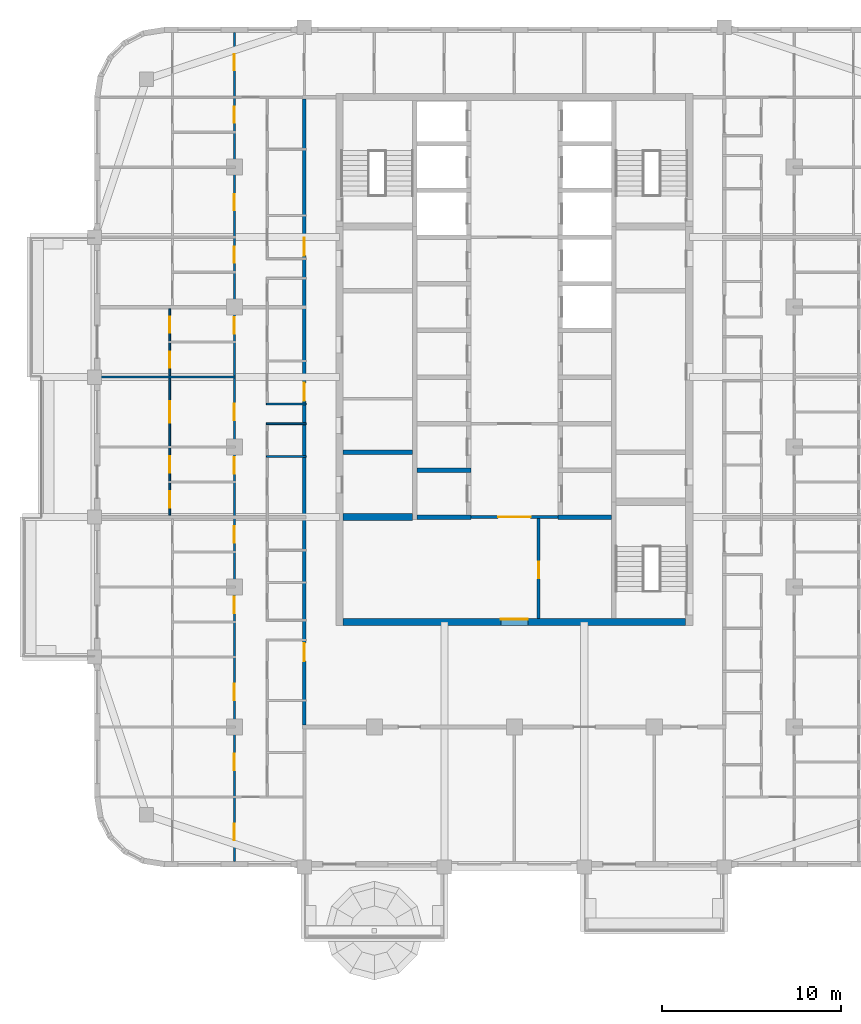
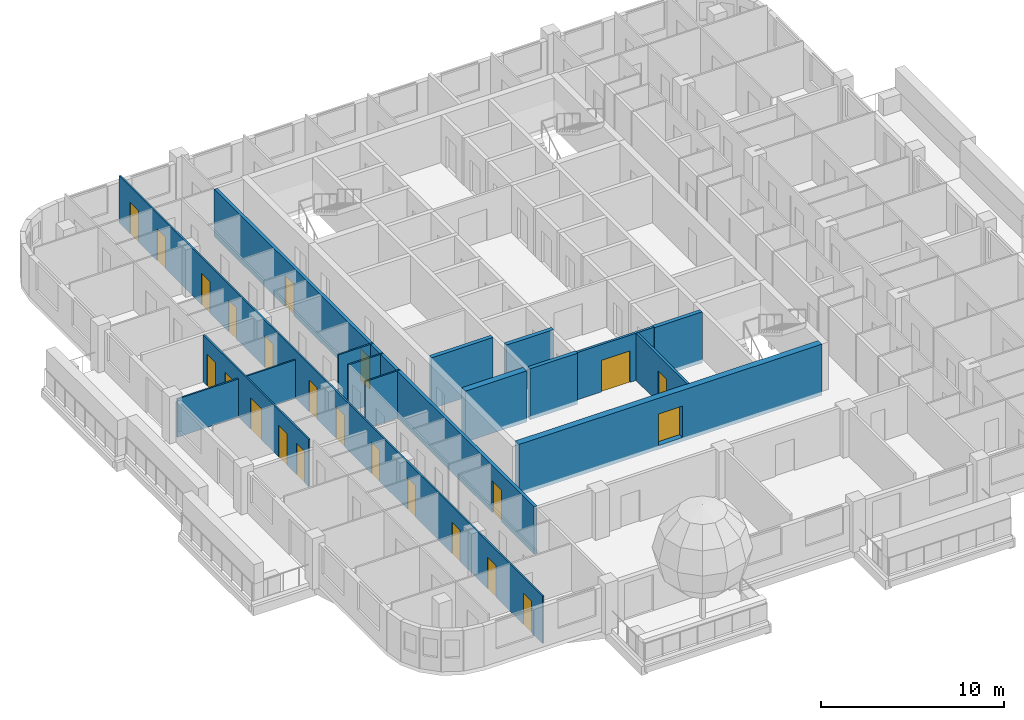
# One storey, part 4 of 17: 23 doors, 15 walls, 23 openings.
"""IFC4 building model written with IfcOpenShell, lengths in metres."""

import ifcopenshell
import ifcopenshell.guid

model = None  # the IFC model being written
_history = None  # IfcOwnerHistory: only IFC2X3 demands one
_inside = {}  # id of a spatial element -> (the spatial element, [elements in it])
_under = {}  # id of a project, library or spatial element -> (it, [spatial elements below it])
_declared = {}  # id of a project -> (the project, [libraries it declares])
_typed = {}  # id of a type object -> (the type object, [elements of that type])
_made_of = {}  # id of a material, layer set ... -> (it, [elements and type objects made of it])


def new_model(schema):
    """Start an empty IFC model of exactly this schema.

    Asked for "IFC4X3", IfcOpenShell would pick the latest addendum, in which some entities
    have other attributes; the version numbers below select the first issue.
    IFC2X3 requires an IfcOwnerHistory on every rooted entity: one is made here for all.
    """
    global model, _history
    if schema == "IFC4X3":
        model = ifcopenshell.file(schema_version=(4, 3, 0, 0))
    else:
        model = ifcopenshell.file(schema=schema)
    _inside.clear()
    _under.clear()
    _declared.clear()
    _typed.clear()
    _made_of.clear()
    _history = None
    if model.schema == "IFC2X3":
        org = make("IfcOrganization", Name="unknown")
        user = make(
            "IfcPersonAndOrganization",
            ThePerson=make("IfcPerson", FamilyName="unknown"),
            TheOrganization=org,
        )
        app = make(
            "IfcApplication",
            ApplicationDeveloper=org,
            Version="unknown",
            ApplicationFullName="unknown",
            ApplicationIdentifier="unknown",
        )
        _history = make(
            "IfcOwnerHistory",
            OwningUser=user,
            OwningApplication=app,
            ChangeAction="ADDED",
            CreationDate=0,
        )
    return model


def make(cls, **values):
    """One entity of the class cls with the attributes given. An attribute that is None is left unset."""
    return model.create_entity(
        cls, **{name: value for name, value in values.items() if value is not None}
    )


def rooted(cls, **values):
    """An entity with a GlobalId (a new one), such as an element, a storey or a relation."""
    return make(cls, GlobalId=ifcopenshell.guid.new(), OwnerHistory=_history, **values)


def si_unit(unit_type, name, prefix=None):
    """IfcSIUnit, for example si_unit("LENGTHUNIT", "METRE", prefix="MILLI")."""
    return make("IfcSIUnit", UnitType=unit_type, Prefix=prefix, Name=name)


def assignment(units):
    """IfcUnitAssignment: the units of a project."""
    return None if units is None else make("IfcUnitAssignment", Units=units)


def point(xyz):
    """IfcCartesianPoint."""
    return None if xyz is None else make("IfcCartesianPoint", Coordinates=xyz)


def direction(xyz):
    """IfcDirection."""
    return None if xyz is None else make("IfcDirection", DirectionRatios=xyz)


def frame(location, z_axis=None, x_axis=None):
    """IfcAxis2Placement3D, a coordinate frame: its origin and axes. An axis left out is left unset."""
    return make(
        "IfcAxis2Placement3D",
        Location=point(location),
        Axis=direction(z_axis),
        RefDirection=direction(x_axis),
    )


def frame_2d(location, x_axis=None):
    """IfcAxis2Placement2D, a coordinate frame in the plane: its origin and x axis."""
    return make(
        "IfcAxis2Placement2D", Location=point(location), RefDirection=direction(x_axis)
    )


def origin():
    """The frame at (0, 0, 0) with its axes left unset."""
    return frame((0.0, 0.0, 0.0))


def place(relative_to, where):
    """IfcLocalPlacement: puts the frame where relative to a parent placement (None: the world)."""
    return make(
        "IfcLocalPlacement", PlacementRelTo=relative_to, RelativePlacement=where
    )


def context(
    kind, dimensions, precision=None, world=None, true_north=None, identifier=None
):
    """IfcGeometricRepresentationContext, for example the 3D "Model" context."""
    return make(
        "IfcGeometricRepresentationContext",
        ContextIdentifier=identifier,
        ContextType=kind,
        CoordinateSpaceDimension=dimensions,
        Precision=precision,
        WorldCoordinateSystem=world,
        TrueNorth=true_north,
    )


def subcontext(parent, identifier, kind, view, scale=None):
    """IfcGeometricRepresentationSubContext, for example "Body" below "Model"."""
    return make(
        "IfcGeometricRepresentationSubContext",
        ContextIdentifier=identifier,
        ContextType=kind,
        ParentContext=parent,
        TargetScale=scale,
        TargetView=view,
    )


def project(units=None, contexts=None):
    """IfcProject with its units and contexts."""
    return rooted(
        "IfcProject",
        Name="project",
        RepresentationContexts=contexts,
        UnitsInContext=assignment(units),
    )


def spatial(cls, under=None, at=None, **own):
    """A site, building, storey or space (cls), placed at a placement, below another one or the project."""
    s = rooted(cls, ObjectPlacement=at, **own)
    if under is not None:
        _under.setdefault(under.id(), (under, []))[1].append(s)
    return s


def profile(cls, at=None, kind="AREA", **sizes):
    """A parametric profile (cls). Its sizes go by their IFC names, for example OverallWidth=200.0."""
    return make(cls, ProfileType=kind, Position=at, **sizes)


def rectangle(**sizes):
    """IfcRectangleProfileDef."""
    return profile("IfcRectangleProfileDef", **sizes)


def extrude(swept, where, along, depth):
    """IfcExtrudedAreaSolid: the profile swept, set in the frame where, extruded along a direction by depth."""
    return make(
        "IfcExtrudedAreaSolid",
        SweptArea=swept,
        Position=where,
        ExtrudedDirection=direction(along),
        Depth=depth,
    )


def shape(context_of_items, identifier, shape_type, items):
    """IfcShapeRepresentation: the items that make up one representation, for example the "Body"."""
    return make(
        "IfcShapeRepresentation",
        ContextOfItems=context_of_items,
        RepresentationIdentifier=identifier,
        RepresentationType=shape_type,
        Items=items,
    )


def material(Name=None, Category=None):
    """IfcMaterial."""
    return make("IfcMaterial", Name=Name, Category=Category)


def layer(
    of_material, thickness, ventilated=None, Name=None, Category=None, Priority=None
):
    """IfcMaterialLayer: one layer of a wall or slab, of a material (None: an air gap)."""
    return make(
        "IfcMaterialLayer",
        Material=of_material,
        LayerThickness=thickness,
        IsVentilated=ventilated,
        Name=Name,
        Category=Category,
        Priority=Priority,
    )


def layer_set(layers, Name=None):
    """IfcMaterialLayerSet."""
    return make("IfcMaterialLayerSet", MaterialLayers=layers, LayerSetName=Name)


def made_of(thing, what):
    """Note that an element or type object is made of a material, layer set ...; save() writes the relation."""
    if what is not None:
        _made_of.setdefault(what.id(), (what, []))[1].append(thing)
    return thing


def type_object(cls, material=None, **own):
    """A type object (cls), such as IfcWallType, which elements share."""
    return made_of(rooted(cls, **own), material)


def element(
    cls,
    number,
    at=None,
    inside=None,
    cuts=None,
    type_object=None,
    material=None,
    context=None,
    identifier="Body",
    shape_type=None,
    held_by="IfcProductDefinitionShape",
    body=None,
    shapes=None,
    **own,
):
    """One element of the class cls, such as IfcWall. Its Tag is "e" and its number.

    at: its placement. inside: the storey or other place that contains it. cuts: it is an
    opening in that element (IfcRelVoidsElement). A single representation is given by context,
    identifier, shape_type and body (its items); several are given by shapes. held_by: the class
    of the entity that holds the representations. save() writes the other relations.
    """
    e = rooted(cls, Tag="e%d" % number, ObjectPlacement=at, **own)
    if body is not None:
        shapes = [shape(context, identifier, shape_type, body)]
    if shapes is not None:
        e.Representation = make(held_by, Representations=shapes)
    if inside is not None:
        _inside.setdefault(inside.id(), (inside, []))[1].append(e)
    if cuts is not None:
        rooted(
            "IfcRelVoidsElement", RelatingBuildingElement=cuts, RelatedOpeningElement=e
        )
    if type_object is not None:
        _typed.setdefault(type_object.id(), (type_object, []))[1].append(e)
    return made_of(e, material)


def fill(opening, filler):
    """IfcRelFillsElement: the door or window that sits in an opening."""
    return rooted(
        "IfcRelFillsElement",
        RelatingOpeningElement=opening,
        RelatedBuildingElement=filler,
    )


def aggregate(whole, parts):
    """IfcRelAggregates: a whole, such as a stair, and the parts it consists of."""
    return rooted("IfcRelAggregates", RelatingObject=whole, RelatedObjects=parts)


def save(model, path):
    """Write the relations noted so far, then the file.

    IfcRelAggregates (storeys below a building ...), IfcRelContainedInSpatialStructure (elements
    in a storey), IfcRelDefinesByType, IfcRelAssociatesMaterial and IfcRelDeclares: one each for
    every whole, place, type object, material and project.
    """
    for whole, parts in _under.values():
        aggregate(whole, parts)
    for where, things in _inside.values():
        rooted(
            "IfcRelContainedInSpatialStructure",
            RelatedElements=things,
            RelatingStructure=where,
        )
    for kind, things in _typed.values():
        rooted("IfcRelDefinesByType", RelatedObjects=things, RelatingType=kind)
    for what, things in _made_of.values():
        rooted("IfcRelAssociatesMaterial", RelatedObjects=things, RelatingMaterial=what)
    for by, libraries in _declared.values():
        rooted("IfcRelDeclares", RelatingContext=by, RelatedDefinitions=libraries)
    model.write(path)


model = new_model("IFC4")

# Units and contexts
model_context = context("Model", 3, precision=1e-05, world=origin(), true_north=direction((0.0, 1.0)))
body_context = subcontext(model_context, "Body", "Model", "MODEL_VIEW")
ifc_project = project(units=[si_unit("LENGTHUNIT", "METRE"), si_unit("AREAUNIT", "SQUARE_METRE"), si_unit("VOLUMEUNIT", "CUBIC_METRE"), si_unit("PLANEANGLEUNIT", "RADIAN"), si_unit("MASSUNIT", "GRAM", prefix="KILO")], contexts=[model_context])

# Site, building, storey
site_placement = place(None, origin())
site = spatial("IfcSite", under=ifc_project, at=site_placement, CompositionType="ELEMENT")
building_placement = place(site_placement, origin())
building = spatial("IfcBuilding", under=site, at=building_placement, Name="Ludao Terraces", CompositionType="ELEMENT")
storey_placement = place(building_placement, frame((0.0, 0.0, 231.300048828125)))
storey = spatial("IfcBuildingStorey", under=building, at=storey_placement, Name="L63", CompositionType="ELEMENT", Elevation=231.300048828125)

# Wall, opening, door
ifc_material_1 = material(Name="Concrete C50", Category="concrete")
ifc_layer_1 = layer(ifc_material_1, 0.39990234375)
ifc_layer_set_1 = layer_set([ifc_layer_1], Name="Core wall 400 C50")
wall_type_1 = type_object("IfcWallType", Name="Core wall 400 C50", PredefinedType="SOLIDWALL", material=ifc_layer_set_1)
wall_1_placement = place(storey_placement, frame((75.449951171875, 55.25, -0.25), z_axis=(0.0, 0.0, 1.0), x_axis=(1.0, 0.0, 0.0)))
wall_1 = element("IfcWall", 1, at=wall_1_placement, inside=storey, type_object=wall_type_1, Name="Core wall L63 outer-S", PredefinedType="SOLIDWALL", context=body_context, shape_type="SweptSolid", body=[
    extrude(rectangle(XDim=19.10009765625, YDim=0.39990234375, at=frame_2d((9.550048828125, 0.0))), origin(), (0.0, 0.0, 1.0), 3.39990234375),
])
opening_1_placement = place(wall_1_placement, frame((8.800048828125, 0.0, 0.25)))
opening_1 = element("IfcOpeningElement", 2, at=opening_1_placement, cuts=wall_1, Name="Opening R22-028", PredefinedType="OPENING", context=body_context, shape_type="SweptSolid", body=[
    extrude(rectangle(XDim=1.5, YDim=2.10009765625, at=frame_2d((0.75, 1.050048828125))), frame((0.0, 0.2099609375, 0.0), z_axis=(0.0, -1.0, 0.0), x_axis=(1.0, 0.0, 0.0)), (0.0, 0.0, 1.0), 0.419921875),
])
ifc_material_2 = material(Name="Steel Q235", Category="steel")
door_type_1 = type_object("IfcDoorType", Name="INT Lobby door 1500", OperationType="DOUBLE_DOOR_SINGLE_SWING", PredefinedType="DOOR", material=ifc_material_2)
door_1_placement = place(opening_1_placement, origin())
door_1 = element("IfcDoor", 3, at=door_1_placement, inside=storey, type_object=door_type_1, Name="DOOR 028", OperationType="DOUBLE_DOOR_SINGLE_SWING", OverallHeight=2.10009765625, OverallWidth=1.5, PredefinedType="DOOR", context=body_context, shape_type="SweptSolid", body=[
    extrude(rectangle(XDim=1.5, YDim=2.10009765625, at=frame_2d((0.75, 1.050048828125))), frame((0.0, 0.18505859375, 0.0), z_axis=(0.0, -1.0, 0.0), x_axis=(1.0, 0.0, 0.0)), (0.0, 0.0, 1.0), 0.050048828125),
])
fill(opening_1, door_1)

ifc_material_3 = material(Name="Fire-rated gypsum plasterboard", Category="gypsum")
ifc_layer_2 = layer(ifc_material_3, 0.012451171875, Category="gypsum")
ifc_material_4 = material(Name="Mineral wool")
ifc_layer_3 = layer(ifc_material_4, 0.10009765625, Name="insulation")
ifc_layer_4 = layer(ifc_material_2, 0.02490234375, Name="stud")
ifc_layer_5 = layer(ifc_material_3, 0.012451171875, Category="gypsum")
ifc_layer_set_2 = layer_set([ifc_layer_2, ifc_layer_3, ifc_layer_4, ifc_layer_5], Name="INT Core partition 150")
wall_type_2 = type_object("IfcWallType", Name="INT Core partition 150", PredefinedType="PARTITIONING", material=ifc_layer_set_2)
wall_2_placement = place(storey_placement, frame((82.5751953125, 61.10009765625, 0.0), z_axis=(0.0, 0.0, 1.0), x_axis=(1.0, 0.0, 0.0)))
wall_2 = element("IfcWall", 4, at=wall_2_placement, inside=storey, type_object=wall_type_2, Name="PW-L63-PW026", PredefinedType="PARTITIONING", context=body_context, shape_type="SweptSolid", body=[
    extrude(rectangle(XDim=4.849853515625, YDim=0.14990234375, at=frame_2d((2.4248046875, 0.0))), origin(), (0.0, 0.0, 1.0), 3.14990234375),
])
opening_2_placement = place(wall_2_placement, frame((1.52490234375, 0.0, 0.0)))
opening_2 = element("IfcOpeningElement", 5, at=opening_2_placement, cuts=wall_2, Name="Opening R22-047", PredefinedType="OPENING", context=body_context, shape_type="SweptSolid", body=[
    extrude(rectangle(XDim=1.800048828125, YDim=2.10009765625, at=frame_2d((0.89990234375, 1.050048828125))), frame((0.0, 0.0849609375, 0.0), z_axis=(0.0, -1.0, 0.0), x_axis=(1.0, 0.0, 0.0)), (0.0, 0.0, 1.0), 0.169921875),
])
door_type_2 = type_object("IfcDoorType", Name="INT Fire lobby door 1800", OperationType="DOUBLE_DOOR_SINGLE_SWING", PredefinedType="DOOR", material=ifc_material_2)
door_2_placement = place(opening_2_placement, origin())
door_2 = element("IfcDoor", 6, at=door_2_placement, inside=storey, type_object=door_type_2, Name="DOOR 047", OperationType="DOUBLE_DOOR_SINGLE_SWING", OverallHeight=2.10009765625, OverallWidth=1.800048828125, PredefinedType="DOOR", context=body_context, shape_type="SweptSolid", body=[
    extrude(rectangle(XDim=1.800048828125, YDim=2.10009765625, at=frame_2d((0.89990234375, 1.050048828125))), frame((0.0, 0.02490234375, 0.0), z_axis=(0.0, -1.0, 0.0), x_axis=(1.0, 0.0, 0.0)), (0.0, 0.0, 1.0), 0.050048828125),
])
fill(opening_2, door_2)

wall_3_placement = place(storey_placement, frame((86.35009765625, 55.4501953125, 0.0), z_axis=(0.0, 0.0, 1.0), x_axis=(0.0, 1.0, 0.0)))
wall_3 = element("IfcWall", 7, at=wall_3_placement, inside=storey, type_object=wall_type_2, Name="PW-L63-PW084", PredefinedType="PARTITIONING", context=body_context, shape_type="SweptSolid", body=[
    extrude(rectangle(XDim=5.574951171875, YDim=0.14990234375, at=frame_2d((2.78759765625, 0.0))), origin(), (0.0, 0.0, 1.0), 3.14990234375),
])
opening_3_placement = place(wall_3_placement, frame((2.25, 0.0, 0.0)))
opening_3 = element("IfcOpeningElement", 8, at=opening_3_placement, cuts=wall_3, Name="Opening R22-036", PredefinedType="OPENING", context=body_context, shape_type="SweptSolid", body=[
    extrude(rectangle(XDim=0.89990234375, YDim=2.10009765625, at=frame_2d((0.449951171875, 1.050048828125))), frame((0.0, 0.0849609375, 0.0), z_axis=(0.0, -1.0, 0.0), x_axis=(1.0, 0.0, 0.0)), (0.0, 0.0, 1.0), 0.169921875),
])
ifc_material_5 = material(Name="Timber door leaf", Category="wood")
door_type_3 = type_object("IfcDoorType", Name="INT Room door 900", OperationType="SINGLE_SWING_LEFT", PredefinedType="DOOR", material=ifc_material_5)
door_3_placement = place(opening_3_placement, origin())
door_3 = element("IfcDoor", 9, at=door_3_placement, inside=storey, type_object=door_type_3, Name="DOOR 036", OperationType="SINGLE_SWING_RIGHT", OverallHeight=2.10009765625, OverallWidth=0.89990234375, PredefinedType="DOOR", context=body_context, shape_type="SweptSolid", body=[
    extrude(rectangle(XDim=0.89990234375, YDim=2.10009765625, at=frame_2d((0.449951171875, 1.050048828125))), frame((0.0, 0.02490234375, 0.0), z_axis=(0.0, -1.0, 0.0), x_axis=(1.0, 0.0, 0.0)), (0.0, 0.0, 1.0), 0.050048828125),
])
fill(opening_3, door_3)

# Wall, openings, doors
ifc_material_6 = material(Name="Autoclaved aerated concrete block B06 A3.5", Category="concrete")
ifc_layer_6 = layer(ifc_material_6, 0.199951171875)
ifc_layer_set_3 = layer_set([ifc_layer_6], Name="INT Entrance wall 200")
wall_type_3 = type_object("IfcWallType", Name="INT Entrance wall 200", PredefinedType="PARTITIONING", material=ifc_layer_set_3)
wall_4_placement = place(storey_placement, frame((73.300048828125, 49.5, 0.0), z_axis=(0.0, 0.0, 1.0), x_axis=(0.0, 1.0, 0.0)))
wall_4 = element("IfcWall", 10, at=wall_4_placement, inside=storey, type_object=wall_type_3, Name="PW-L63-PW078", PredefinedType="PARTITIONING", context=body_context, shape_type="SweptSolid", body=[
    extrude(rectangle(XDim=34.900146484375, YDim=0.199951171875, at=frame_2d((17.4501953125, 0.0))), origin(), (0.0, 0.0, 1.0), 3.14990234375),
])
opening_4_placement = place(wall_4_placement, frame((3.5751953125, 0.0, 0.0)))
opening_4 = element("IfcOpeningElement", 11, at=opening_4_placement, cuts=wall_4, Name="Opening R22-025", PredefinedType="OPENING", context=body_context, shape_type="SweptSolid", body=[
    extrude(rectangle(XDim=1.0, YDim=2.10009765625, at=frame_2d((0.5, 1.050048828125))), frame((0.0, 0.10986328125, 0.0), z_axis=(0.0, -1.0, 0.0), x_axis=(1.0, 0.0, 0.0)), (0.0, 0.0, 1.0), 0.219970703125),
])
opening_5_placement = place(wall_4_placement, frame((18.0751953125, 0.0, 0.0)))
opening_5 = element("IfcOpeningElement", 12, at=opening_5_placement, cuts=wall_4, Name="Opening R22-074", PredefinedType="OPENING", context=body_context, shape_type="SweptSolid", body=[
    extrude(rectangle(XDim=1.0, YDim=2.10009765625, at=frame_2d((0.5, 1.050048828125))), frame((0.0, 0.10986328125, 0.0), z_axis=(0.0, -1.0, 0.0), x_axis=(1.0, 0.0, 0.0)), (0.0, 0.0, 1.0), 0.219970703125),
])
opening_6_placement = place(wall_4_placement, frame((26.175048828125, 0.0, 0.0)))
opening_6 = element("IfcOpeningElement", 13, at=opening_6_placement, cuts=wall_4, Name="Opening R22-103", PredefinedType="OPENING", context=body_context, shape_type="SweptSolid", body=[
    extrude(rectangle(XDim=1.0, YDim=2.10009765625, at=frame_2d((0.5, 1.050048828125))), frame((0.0, 0.10986328125, 0.0), z_axis=(0.0, -1.0, 0.0), x_axis=(1.0, 0.0, 0.0)), (0.0, 0.0, 1.0), 0.219970703125),
])
door_type_4 = type_object("IfcDoorType", Name="INT Flat entrance door 1000", OperationType="SINGLE_SWING_LEFT", PredefinedType="DOOR", material=ifc_material_2)
door_4_placement = place(opening_4_placement, origin())
door_4 = element("IfcDoor", 14, at=door_4_placement, inside=storey, type_object=door_type_4, Name="DOOR 025", OperationType="SINGLE_SWING_LEFT", OverallHeight=2.10009765625, OverallWidth=1.0, PredefinedType="DOOR", context=body_context, shape_type="SweptSolid", body=[
    extrude(rectangle(XDim=1.0, YDim=2.10009765625, at=frame_2d((0.5, 1.050048828125))), frame((0.0, 0.02490234375, 0.0), z_axis=(0.0, -1.0, 0.0), x_axis=(1.0, 0.0, 0.0)), (0.0, 0.0, 1.0), 0.050048828125),
])
fill(opening_4, door_4)
door_5_placement = place(opening_5_placement, origin())
door_5 = element("IfcDoor", 15, at=door_5_placement, inside=storey, type_object=door_type_4, Name="DOOR 074", OperationType="SINGLE_SWING_RIGHT", OverallHeight=2.10009765625, OverallWidth=1.0, PredefinedType="DOOR", context=body_context, shape_type="SweptSolid", body=[
    extrude(rectangle(XDim=1.0, YDim=2.10009765625, at=frame_2d((0.5, 1.050048828125))), frame((0.0, 0.02490234375, 0.0), z_axis=(0.0, -1.0, 0.0), x_axis=(1.0, 0.0, 0.0)), (0.0, 0.0, 1.0), 0.050048828125),
])
fill(opening_5, door_5)
door_6_placement = place(opening_6_placement, origin())
door_6 = element("IfcDoor", 16, at=door_6_placement, inside=storey, type_object=door_type_4, Name="DOOR 103", OperationType="SINGLE_SWING_RIGHT", OverallHeight=2.10009765625, OverallWidth=1.0, PredefinedType="DOOR", context=body_context, shape_type="SweptSolid", body=[
    extrude(rectangle(XDim=1.0, YDim=2.10009765625, at=frame_2d((0.5, 1.050048828125))), frame((0.0, 0.02490234375, 0.0), z_axis=(0.0, -1.0, 0.0), x_axis=(1.0, 0.0, 0.0)), (0.0, 0.0, 1.0), 0.050048828125),
])
fill(opening_6, door_6)

# Walls
ifc_material_7 = material(Name="Gypsum plasterboard", Category="gypsum")
ifc_layer_7 = layer(ifc_material_7, 0.012451171875, Category="gypsum")
ifc_layer_8 = layer(ifc_material_4, 0.06005859375, Name="insulation")
ifc_layer_9 = layer(ifc_material_2, 0.014892578125, Name="stud")
ifc_layer_10 = layer(ifc_material_7, 0.012451171875, Category="gypsum")
ifc_layer_set_4 = layer_set([ifc_layer_7, ifc_layer_8, ifc_layer_9, ifc_layer_10], Name="INT Partition 100")
wall_type_4 = type_object("IfcWallType", Name="INT Partition 100", PredefinedType="PARTITIONING", material=ifc_layer_set_4)
for number, where, z_axis, x_axis, name in (
    (17, (71.18017578125, 64.469970703125, 0.0), (0.0, 0.0, 1.0), (1.0, 0.0, 0.0), "PW-L63-PW031"),
    (18, (71.18017578125, 66.300048828125, 0.0), (0.0, 0.0, 1.0), (1.0, 0.0, 0.0), "PW-L63-PW035"),
    (19, (71.18017578125, 67.39990234375, 0.0), (0.0, 0.0, 1.0), (1.0, 0.0, 0.0), "PW-L63-PW038"),
):
    element("IfcWall", number, at=place(storey_placement, frame(where, z_axis=z_axis, x_axis=x_axis)), inside=storey, type_object=wall_type_4, Name=name, PredefinedType="PARTITIONING", context=body_context, shape_type="SweptSolid", body=[
        extrude(rectangle(XDim=2.219970703125, YDim=0.10009765625, at=frame_2d((1.10986328125, 0.0))), origin(), (0.0, 0.0, 1.0), 3.14990234375),
    ])
wall_5_placement = place(storey_placement, frame((61.900146484375, 68.89990234375, 0.0), z_axis=(0.0, 0.0, 1.0), x_axis=(1.0, 0.0, 0.0)))
element("IfcWall", 20, at=wall_5_placement, inside=storey, type_object=wall_type_4, Name="PW-L63-PW041", PredefinedType="PARTITIONING", context=body_context, shape_type="SweptSolid", body=[
    extrude(rectangle(XDim=7.550048828125, YDim=0.10009765625, at=frame_2d((3.77490234375, 0.0))), origin(), (0.0, 0.0, 1.0), 2.5498046875),
])

# Wall, openings, doors
wall_6_placement = place(storey_placement, frame((65.800048828125, 61.2001953125, 0.0), z_axis=(0.0, 0.0, 1.0), x_axis=(0.0, 1.0, 0.0)))
wall_6 = element("IfcWall", 21, at=wall_6_placement, inside=storey, type_object=wall_type_4, Name="PW-L63-PW069", PredefinedType="PARTITIONING", context=body_context, shape_type="SweptSolid", body=[
    extrude(rectangle(XDim=11.5, YDim=0.10009765625, at=frame_2d((5.75, 0.0))), origin(), (0.0, 0.0, 1.0), 3.14990234375),
])
opening_7_placement = place(wall_6_placement, frame((0.4248046875, 0.0, 0.0)))
opening_7 = element("IfcOpeningElement", 22, at=opening_7_placement, cuts=wall_6, Name="Opening R22-048", PredefinedType="OPENING", context=body_context, shape_type="SweptSolid", body=[
    extrude(rectangle(XDim=0.89990234375, YDim=2.10009765625, at=frame_2d((0.449951171875, 1.050048828125))), frame((0.0, 0.06005859375, 0.0), z_axis=(0.0, -1.0, 0.0), x_axis=(1.0, 0.0, 0.0)), (0.0, 0.0, 1.0), 0.1201171875),
])
opening_8_placement = place(wall_6_placement, frame((2.375, 0.0, 0.0)))
opening_8 = element("IfcOpeningElement", 23, at=opening_8_placement, cuts=wall_6, Name="Opening R22-058", PredefinedType="OPENING", context=body_context, shape_type="SweptSolid", body=[
    extrude(rectangle(XDim=0.89990234375, YDim=2.10009765625, at=frame_2d((0.449951171875, 1.050048828125))), frame((0.0, 0.06005859375, 0.0), z_axis=(0.0, -1.0, 0.0), x_axis=(1.0, 0.0, 0.0)), (0.0, 0.0, 1.0), 0.1201171875),
])
opening_9_placement = place(wall_6_placement, frame((5.14990234375, 0.0, 0.0)))
opening_9 = element("IfcOpeningElement", 24, at=opening_9_placement, cuts=wall_6, Name="Opening R22-067", PredefinedType="OPENING", context=body_context, shape_type="SweptSolid", body=[
    extrude(rectangle(XDim=1.199951171875, YDim=2.10009765625, at=frame_2d((0.60009765625, 1.050048828125))), frame((0.0, 0.06005859375, 0.0), z_axis=(0.0, -1.0, 0.0), x_axis=(1.0, 0.0, 0.0)), (0.0, 0.0, 1.0), 0.1201171875),
])
opening_10_placement = place(wall_6_placement, frame((8.224853515625, 0.0, 0.0)))
opening_10 = element("IfcOpeningElement", 25, at=opening_10_placement, cuts=wall_6, Name="Opening R22-077", PredefinedType="OPENING", context=body_context, shape_type="SweptSolid", body=[
    extrude(rectangle(XDim=0.89990234375, YDim=2.10009765625, at=frame_2d((0.449951171875, 1.050048828125))), frame((0.0, 0.06005859375, 0.0), z_axis=(0.0, -1.0, 0.0), x_axis=(1.0, 0.0, 0.0)), (0.0, 0.0, 1.0), 0.1201171875),
])
opening_11_placement = place(wall_6_placement, frame((10.1748046875, 0.0, 0.0)))
opening_11 = element("IfcOpeningElement", 26, at=opening_11_placement, cuts=wall_6, Name="Opening R22-086", PredefinedType="OPENING", context=body_context, shape_type="SweptSolid", body=[
    extrude(rectangle(XDim=0.89990234375, YDim=2.10009765625, at=frame_2d((0.449951171875, 1.050048828125))), frame((0.0, 0.06005859375, 0.0), z_axis=(0.0, -1.0, 0.0), x_axis=(1.0, 0.0, 0.0)), (0.0, 0.0, 1.0), 0.1201171875),
])
door_type_5 = type_object("IfcDoorType", Name="INT Bathroom door 900", OperationType="SINGLE_SWING_LEFT", PredefinedType="DOOR", material=ifc_material_5)
door_7_placement = place(opening_7_placement, origin())
door_7 = element("IfcDoor", 27, at=door_7_placement, inside=storey, type_object=door_type_5, Name="DOOR 048", OperationType="SINGLE_SWING_RIGHT", OverallHeight=2.10009765625, OverallWidth=0.89990234375, PredefinedType="DOOR", context=body_context, shape_type="SweptSolid", body=[
    extrude(rectangle(XDim=0.89990234375, YDim=2.10009765625, at=frame_2d((0.449951171875, 1.050048828125))), frame((0.0, 0.02490234375, 0.0), z_axis=(0.0, -1.0, 0.0), x_axis=(1.0, 0.0, 0.0)), (0.0, 0.0, 1.0), 0.050048828125),
])
fill(opening_7, door_7)
door_8_placement = place(opening_10_placement, origin())
door_8 = element("IfcDoor", 28, at=door_8_placement, inside=storey, type_object=door_type_5, Name="DOOR 077", OperationType="SINGLE_SWING_RIGHT", OverallHeight=2.10009765625, OverallWidth=0.89990234375, PredefinedType="DOOR", context=body_context, shape_type="SweptSolid", body=[
    extrude(rectangle(XDim=0.89990234375, YDim=2.10009765625, at=frame_2d((0.449951171875, 1.050048828125))), frame((0.0, 0.02490234375, 0.0), z_axis=(0.0, -1.0, 0.0), x_axis=(1.0, 0.0, 0.0)), (0.0, 0.0, 1.0), 0.050048828125),
])
fill(opening_10, door_8)
door_type_6 = type_object("IfcDoorType", Name="INT Double door 1200", OperationType="DOUBLE_DOOR_SINGLE_SWING", PredefinedType="DOOR", material=ifc_material_5)
door_9_placement = place(opening_9_placement, origin())
door_9 = element("IfcDoor", 29, at=door_9_placement, inside=storey, type_object=door_type_6, Name="DOOR 067", OperationType="DOUBLE_DOOR_SINGLE_SWING", OverallHeight=2.10009765625, OverallWidth=1.199951171875, PredefinedType="DOOR", context=body_context, shape_type="SweptSolid", body=[
    extrude(rectangle(XDim=1.199951171875, YDim=2.10009765625, at=frame_2d((0.60009765625, 1.050048828125))), frame((0.0, 0.02490234375, 0.0), z_axis=(0.0, -1.0, 0.0), x_axis=(1.0, 0.0, 0.0)), (0.0, 0.0, 1.0), 0.050048828125),
])
fill(opening_9, door_9)
door_10_placement = place(opening_8_placement, origin())
door_10 = element("IfcDoor", 30, at=door_10_placement, inside=storey, type_object=door_type_3, Name="DOOR 058", OperationType="SINGLE_SWING_RIGHT", OverallHeight=2.10009765625, OverallWidth=0.89990234375, PredefinedType="DOOR", context=body_context, shape_type="SweptSolid", body=[
    extrude(rectangle(XDim=0.89990234375, YDim=2.10009765625, at=frame_2d((0.449951171875, 1.050048828125))), frame((0.0, 0.02490234375, 0.0), z_axis=(0.0, -1.0, 0.0), x_axis=(1.0, 0.0, 0.0)), (0.0, 0.0, 1.0), 0.050048828125),
])
fill(opening_8, door_10)
door_11_placement = place(opening_11_placement, origin())
door_11 = element("IfcDoor", 31, at=door_11_placement, inside=storey, type_object=door_type_3, Name="DOOR 086", OperationType="SINGLE_SWING_LEFT", OverallHeight=2.10009765625, OverallWidth=0.89990234375, PredefinedType="DOOR", context=body_context, shape_type="SweptSolid", body=[
    extrude(rectangle(XDim=0.89990234375, YDim=2.10009765625, at=frame_2d((0.449951171875, 1.050048828125))), frame((0.0, 0.02490234375, 0.0), z_axis=(0.0, -1.0, 0.0), x_axis=(1.0, 0.0, 0.0)), (0.0, 0.0, 1.0), 0.050048828125),
])
fill(opening_11, door_11)

wall_7_placement = place(storey_placement, frame((69.39990234375, 41.900146484375, 0.0), z_axis=(0.0, 0.0, 1.0), x_axis=(0.0, 1.0, 0.0)))
wall_7 = element("IfcWall", 32, at=wall_7_placement, inside=storey, type_object=wall_type_4, Name="PW-L63-PW072", PredefinedType="PARTITIONING", context=body_context, shape_type="SweptSolid", body=[
    extrude(rectangle(XDim=46.199951171875, YDim=0.10009765625, at=frame_2d((23.10009765625, 0.0))), origin(), (0.0, 0.0, 1.0), 3.14990234375),
])
opening_12_placement = place(wall_7_placement, frame((1.199951171875, 0.0, 0.0)))
opening_12 = element("IfcOpeningElement", 33, at=opening_12_placement, cuts=wall_7, Name="Opening R22-002", PredefinedType="OPENING", context=body_context, shape_type="SweptSolid", body=[
    extrude(rectangle(XDim=0.89990234375, YDim=2.10009765625, at=frame_2d((0.449951171875, 1.050048828125))), frame((0.0, 0.06005859375, 0.0), z_axis=(0.0, -1.0, 0.0), x_axis=(1.0, 0.0, 0.0)), (0.0, 0.0, 1.0), 0.1201171875),
])
opening_13_placement = place(wall_7_placement, frame((5.10009765625, 0.0, 0.0)))
opening_13 = element("IfcOpeningElement", 34, at=opening_13_placement, cuts=wall_7, Name="Opening R22-011", PredefinedType="OPENING", context=body_context, shape_type="SweptSolid", body=[
    extrude(rectangle(XDim=0.89990234375, YDim=2.10009765625, at=frame_2d((0.449951171875, 1.050048828125))), frame((0.0, 0.06005859375, 0.0), z_axis=(0.0, -1.0, 0.0), x_axis=(1.0, 0.0, 0.0)), (0.0, 0.0, 1.0), 0.1201171875),
])
opening_14_placement = place(wall_7_placement, frame((9.0, 0.0, 0.0)))
opening_14 = element("IfcOpeningElement", 35, at=opening_14_placement, cuts=wall_7, Name="Opening R22-020", PredefinedType="OPENING", context=body_context, shape_type="SweptSolid", body=[
    extrude(rectangle(XDim=0.89990234375, YDim=2.10009765625, at=frame_2d((0.449951171875, 1.050048828125))), frame((0.0, 0.06005859375, 0.0), z_axis=(0.0, -1.0, 0.0), x_axis=(1.0, 0.0, 0.0)), (0.0, 0.0, 1.0), 0.1201171875),
])
opening_15_placement = place(wall_7_placement, frame((13.85009765625, 0.0, 0.0)))
opening_15 = element("IfcOpeningElement", 36, at=opening_15_placement, cuts=wall_7, Name="Opening R22-031", PredefinedType="OPENING", context=body_context, shape_type="SweptSolid", body=[
    extrude(rectangle(XDim=0.89990234375, YDim=2.10009765625, at=frame_2d((0.449951171875, 1.050048828125))), frame((0.0, 0.06005859375, 0.0), z_axis=(0.0, -1.0, 0.0), x_axis=(1.0, 0.0, 0.0)), (0.0, 0.0, 1.0), 0.1201171875),
])
opening_16_placement = place(wall_7_placement, frame((17.77490234375, 0.0, 0.0)))
opening_16 = element("IfcOpeningElement", 37, at=opening_16_placement, cuts=wall_7, Name="Opening R22-043", PredefinedType="OPENING", context=body_context, shape_type="SweptSolid", body=[
    extrude(rectangle(XDim=0.89990234375, YDim=2.10009765625, at=frame_2d((0.449951171875, 1.050048828125))), frame((0.0, 0.06005859375, 0.0), z_axis=(0.0, -1.0, 0.0), x_axis=(1.0, 0.0, 0.0)), (0.0, 0.0, 1.0), 0.1201171875),
])
opening_17_placement = place(wall_7_placement, frame((21.625, 0.0, 0.0)))
opening_17 = element("IfcOpeningElement", 38, at=opening_17_placement, cuts=wall_7, Name="Opening R22-056", PredefinedType="OPENING", context=body_context, shape_type="SweptSolid", body=[
    extrude(rectangle(XDim=0.89990234375, YDim=2.10009765625, at=frame_2d((0.449951171875, 1.050048828125))), frame((0.0, 0.06005859375, 0.0), z_axis=(0.0, -1.0, 0.0), x_axis=(1.0, 0.0, 0.0)), (0.0, 0.0, 1.0), 0.1201171875),
])
opening_18_placement = place(wall_7_placement, frame((24.60009765625, 0.0, 0.0)))
opening_18 = element("IfcOpeningElement", 39, at=opening_18_placement, cuts=wall_7, Name="Opening R22-068", PredefinedType="OPENING", context=body_context, shape_type="SweptSolid", body=[
    extrude(rectangle(XDim=0.89990234375, YDim=2.10009765625, at=frame_2d((0.449951171875, 1.050048828125))), frame((0.0, 0.06005859375, 0.0), z_axis=(0.0, -1.0, 0.0), x_axis=(1.0, 0.0, 0.0)), (0.0, 0.0, 1.0), 0.1201171875),
])
opening_19_placement = place(wall_7_placement, frame((29.425048828125, 0.0, 0.0)))
opening_19 = element("IfcOpeningElement", 40, at=opening_19_placement, cuts=wall_7, Name="Opening R22-085", PredefinedType="OPENING", context=body_context, shape_type="SweptSolid", body=[
    extrude(rectangle(XDim=0.89990234375, YDim=2.10009765625, at=frame_2d((0.449951171875, 1.050048828125))), frame((0.0, 0.06005859375, 0.0), z_axis=(0.0, -1.0, 0.0), x_axis=(1.0, 0.0, 0.0)), (0.0, 0.0, 1.0), 0.1201171875),
])
opening_20_placement = place(wall_7_placement, frame((33.375, 0.0, 0.0)))
opening_20 = element("IfcOpeningElement", 41, at=opening_20_placement, cuts=wall_7, Name="Opening R22-100", PredefinedType="OPENING", context=body_context, shape_type="SweptSolid", body=[
    extrude(rectangle(XDim=0.89990234375, YDim=2.10009765625, at=frame_2d((0.449951171875, 1.050048828125))), frame((0.0, 0.06005859375, 0.0), z_axis=(0.0, -1.0, 0.0), x_axis=(1.0, 0.0, 0.0)), (0.0, 0.0, 1.0), 0.1201171875),
])
opening_21_placement = place(wall_7_placement, frame((36.300048828125, 0.0, 0.0)))
opening_21 = element("IfcOpeningElement", 42, at=opening_21_placement, cuts=wall_7, Name="Opening R22-112", PredefinedType="OPENING", context=body_context, shape_type="SweptSolid", body=[
    extrude(rectangle(XDim=0.89990234375, YDim=2.10009765625, at=frame_2d((0.449951171875, 1.050048828125))), frame((0.0, 0.06005859375, 0.0), z_axis=(0.0, -1.0, 0.0), x_axis=(1.0, 0.0, 0.0)), (0.0, 0.0, 1.0), 0.1201171875),
])
opening_22_placement = place(wall_7_placement, frame((41.175048828125, 0.0, 0.0)))
opening_22 = element("IfcOpeningElement", 43, at=opening_22_placement, cuts=wall_7, Name="Opening R22-128", PredefinedType="OPENING", context=body_context, shape_type="SweptSolid", body=[
    extrude(rectangle(XDim=0.89990234375, YDim=2.10009765625, at=frame_2d((0.449951171875, 1.050048828125))), frame((0.0, 0.06005859375, 0.0), z_axis=(0.0, -1.0, 0.0), x_axis=(1.0, 0.0, 0.0)), (0.0, 0.0, 1.0), 0.1201171875),
])
opening_23_placement = place(wall_7_placement, frame((44.10009765625, 0.0, 0.0)))
opening_23 = element("IfcOpeningElement", 44, at=opening_23_placement, cuts=wall_7, Name="Opening R22-132", PredefinedType="OPENING", context=body_context, shape_type="SweptSolid", body=[
    extrude(rectangle(XDim=0.89990234375, YDim=2.10009765625, at=frame_2d((0.449951171875, 1.050048828125))), frame((0.0, 0.06005859375, 0.0), z_axis=(0.0, -1.0, 0.0), x_axis=(1.0, 0.0, 0.0)), (0.0, 0.0, 1.0), 0.1201171875),
])
door_12_placement = place(opening_12_placement, origin())
door_12 = element("IfcDoor", 45, at=door_12_placement, inside=storey, type_object=door_type_3, Name="DOOR 002", OperationType="SINGLE_SWING_LEFT", OverallHeight=2.10009765625, OverallWidth=0.89990234375, PredefinedType="DOOR", context=body_context, shape_type="SweptSolid", body=[
    extrude(rectangle(XDim=0.89990234375, YDim=2.10009765625, at=frame_2d((0.449951171875, 1.050048828125))), frame((0.0, 0.02490234375, 0.0), z_axis=(0.0, -1.0, 0.0), x_axis=(1.0, 0.0, 0.0)), (0.0, 0.0, 1.0), 0.050048828125),
])
fill(opening_12, door_12)
door_13_placement = place(opening_13_placement, origin())
door_13 = element("IfcDoor", 46, at=door_13_placement, inside=storey, type_object=door_type_3, Name="DOOR 011", OperationType="SINGLE_SWING_RIGHT", OverallHeight=2.10009765625, OverallWidth=0.89990234375, PredefinedType="DOOR", context=body_context, shape_type="SweptSolid", body=[
    extrude(rectangle(XDim=0.89990234375, YDim=2.10009765625, at=frame_2d((0.449951171875, 1.050048828125))), frame((0.0, 0.02490234375, 0.0), z_axis=(0.0, -1.0, 0.0), x_axis=(1.0, 0.0, 0.0)), (0.0, 0.0, 1.0), 0.050048828125),
])
fill(opening_13, door_13)
door_14_placement = place(opening_14_placement, origin())
door_14 = element("IfcDoor", 47, at=door_14_placement, inside=storey, type_object=door_type_3, Name="DOOR 020", OperationType="SINGLE_SWING_LEFT", OverallHeight=2.10009765625, OverallWidth=0.89990234375, PredefinedType="DOOR", context=body_context, shape_type="SweptSolid", body=[
    extrude(rectangle(XDim=0.89990234375, YDim=2.10009765625, at=frame_2d((0.449951171875, 1.050048828125))), frame((0.0, 0.02490234375, 0.0), z_axis=(0.0, -1.0, 0.0), x_axis=(1.0, 0.0, 0.0)), (0.0, 0.0, 1.0), 0.050048828125),
])
fill(opening_14, door_14)
door_15_placement = place(opening_15_placement, origin())
door_15 = element("IfcDoor", 48, at=door_15_placement, inside=storey, type_object=door_type_3, Name="DOOR 031", OperationType="SINGLE_SWING_LEFT", OverallHeight=2.10009765625, OverallWidth=0.89990234375, PredefinedType="DOOR", context=body_context, shape_type="SweptSolid", body=[
    extrude(rectangle(XDim=0.89990234375, YDim=2.10009765625, at=frame_2d((0.449951171875, 1.050048828125))), frame((0.0, 0.02490234375, 0.0), z_axis=(0.0, -1.0, 0.0), x_axis=(1.0, 0.0, 0.0)), (0.0, 0.0, 1.0), 0.050048828125),
])
fill(opening_15, door_15)
door_16_placement = place(opening_16_placement, origin())
door_16 = element("IfcDoor", 49, at=door_16_placement, inside=storey, type_object=door_type_3, Name="DOOR 043", OperationType="SINGLE_SWING_LEFT", OverallHeight=2.10009765625, OverallWidth=0.89990234375, PredefinedType="DOOR", context=body_context, shape_type="SweptSolid", body=[
    extrude(rectangle(XDim=0.89990234375, YDim=2.10009765625, at=frame_2d((0.449951171875, 1.050048828125))), frame((0.0, 0.02490234375, 0.0), z_axis=(0.0, -1.0, 0.0), x_axis=(1.0, 0.0, 0.0)), (0.0, 0.0, 1.0), 0.050048828125),
])
fill(opening_16, door_16)
door_17_placement = place(opening_17_placement, origin())
door_17 = element("IfcDoor", 50, at=door_17_placement, inside=storey, type_object=door_type_3, Name="DOOR 056", OperationType="SINGLE_SWING_LEFT", OverallHeight=2.10009765625, OverallWidth=0.89990234375, PredefinedType="DOOR", context=body_context, shape_type="SweptSolid", body=[
    extrude(rectangle(XDim=0.89990234375, YDim=2.10009765625, at=frame_2d((0.449951171875, 1.050048828125))), frame((0.0, 0.02490234375, 0.0), z_axis=(0.0, -1.0, 0.0), x_axis=(1.0, 0.0, 0.0)), (0.0, 0.0, 1.0), 0.050048828125),
])
fill(opening_17, door_17)
door_18_placement = place(opening_18_placement, origin())
door_18 = element("IfcDoor", 51, at=door_18_placement, inside=storey, type_object=door_type_3, Name="DOOR 068", OperationType="SINGLE_SWING_LEFT", OverallHeight=2.10009765625, OverallWidth=0.89990234375, PredefinedType="DOOR", context=body_context, shape_type="SweptSolid", body=[
    extrude(rectangle(XDim=0.89990234375, YDim=2.10009765625, at=frame_2d((0.449951171875, 1.050048828125))), frame((0.0, 0.02490234375, 0.0), z_axis=(0.0, -1.0, 0.0), x_axis=(1.0, 0.0, 0.0)), (0.0, 0.0, 1.0), 0.050048828125),
])
fill(opening_18, door_18)
door_19_placement = place(opening_19_placement, origin())
door_19 = element("IfcDoor", 52, at=door_19_placement, inside=storey, type_object=door_type_3, Name="DOOR 085", OperationType="SINGLE_SWING_LEFT", OverallHeight=2.10009765625, OverallWidth=0.89990234375, PredefinedType="DOOR", context=body_context, shape_type="SweptSolid", body=[
    extrude(rectangle(XDim=0.89990234375, YDim=2.10009765625, at=frame_2d((0.449951171875, 1.050048828125))), frame((0.0, 0.02490234375, 0.0), z_axis=(0.0, -1.0, 0.0), x_axis=(1.0, 0.0, 0.0)), (0.0, 0.0, 1.0), 0.050048828125),
])
fill(opening_19, door_19)
door_20_placement = place(opening_20_placement, origin())
door_20 = element("IfcDoor", 53, at=door_20_placement, inside=storey, type_object=door_type_3, Name="DOOR 100", OperationType="SINGLE_SWING_LEFT", OverallHeight=2.10009765625, OverallWidth=0.89990234375, PredefinedType="DOOR", context=body_context, shape_type="SweptSolid", body=[
    extrude(rectangle(XDim=0.89990234375, YDim=2.10009765625, at=frame_2d((0.449951171875, 1.050048828125))), frame((0.0, 0.02490234375, 0.0), z_axis=(0.0, -1.0, 0.0), x_axis=(1.0, 0.0, 0.0)), (0.0, 0.0, 1.0), 0.050048828125),
])
fill(opening_20, door_20)
door_21_placement = place(opening_21_placement, origin())
door_21 = element("IfcDoor", 54, at=door_21_placement, inside=storey, type_object=door_type_3, Name="DOOR 112", OperationType="SINGLE_SWING_LEFT", OverallHeight=2.10009765625, OverallWidth=0.89990234375, PredefinedType="DOOR", context=body_context, shape_type="SweptSolid", body=[
    extrude(rectangle(XDim=0.89990234375, YDim=2.10009765625, at=frame_2d((0.449951171875, 1.050048828125))), frame((0.0, 0.02490234375, 0.0), z_axis=(0.0, -1.0, 0.0), x_axis=(1.0, 0.0, 0.0)), (0.0, 0.0, 1.0), 0.050048828125),
])
fill(opening_21, door_21)
door_22_placement = place(opening_22_placement, origin())
door_22 = element("IfcDoor", 55, at=door_22_placement, inside=storey, type_object=door_type_3, Name="DOOR 128", OperationType="SINGLE_SWING_LEFT", OverallHeight=2.10009765625, OverallWidth=0.89990234375, PredefinedType="DOOR", context=body_context, shape_type="SweptSolid", body=[
    extrude(rectangle(XDim=0.89990234375, YDim=2.10009765625, at=frame_2d((0.449951171875, 1.050048828125))), frame((0.0, 0.02490234375, 0.0), z_axis=(0.0, -1.0, 0.0), x_axis=(1.0, 0.0, 0.0)), (0.0, 0.0, 1.0), 0.050048828125),
])
fill(opening_22, door_22)
door_23_placement = place(opening_23_placement, origin())
door_23 = element("IfcDoor", 56, at=door_23_placement, inside=storey, type_object=door_type_3, Name="DOOR 132", OperationType="SINGLE_SWING_RIGHT", OverallHeight=2.10009765625, OverallWidth=0.89990234375, PredefinedType="DOOR", context=body_context, shape_type="SweptSolid", body=[
    extrude(rectangle(XDim=0.89990234375, YDim=2.10009765625, at=frame_2d((0.449951171875, 1.050048828125))), frame((0.0, 0.02490234375, 0.0), z_axis=(0.0, -1.0, 0.0), x_axis=(1.0, 0.0, 0.0)), (0.0, 0.0, 1.0), 0.050048828125),
])
fill(opening_23, door_23)

# Walls
ifc_layer_11 = layer(ifc_material_1, 0.25)
ifc_layer_set_5 = layer_set([ifc_layer_11], Name="Shaft wall 250 C50")
wall_type_5 = type_object("IfcWallType", Name="Shaft wall 250 C50", PredefinedType="SOLIDWALL", material=ifc_layer_set_5)
for number, where, z_axis, x_axis, name in (
    (57, (79.574951171875, 61.10009765625, -0.25), (0.0, 0.0, 1.0), (1.0, 0.0, 0.0), "Core wall L63 div-W1"),
    (58, (79.574951171875, 63.699951171875, -0.25), (0.0, 0.0, 1.0), (1.0, 0.0, 0.0), "Core wall L63 div-W2"),
    (59, (87.425048828125, 61.10009765625, -0.25), (0.0, 0.0, 1.0), (1.0, 0.0, 0.0), "Core wall L63 div-E1"),
):
    element("IfcWall", number, at=place(storey_placement, frame(where, z_axis=z_axis, x_axis=x_axis)), inside=storey, type_object=wall_type_5, Name=name, PredefinedType="SOLIDWALL", context=body_context, shape_type="SweptSolid", body=[
        extrude(rectangle(XDim=3.0, YDim=0.25, at=frame_2d((1.5, 0.0))), origin(), (0.0, 0.0, 1.0), 3.39990234375),
    ])
wall_8_placement = place(storey_placement, frame((75.449951171875, 64.699951171875, -0.25), z_axis=(0.0, 0.0, 1.0), x_axis=(1.0, 0.0, 0.0)))
element("IfcWall", 60, at=wall_8_placement, inside=storey, type_object=wall_type_5, Name="Core wall L63 riser-a-W", PredefinedType="SOLIDWALL", context=body_context, shape_type="SweptSolid", body=[
    extrude(rectangle(XDim=3.875, YDim=0.25, at=frame_2d((1.9375, 0.0))), origin(), (0.0, 0.0, 1.0), 3.39990234375),
])
ifc_layer_12 = layer(ifc_material_1, 0.39990234375)
ifc_layer_set_6 = layer_set([ifc_layer_12], Name="Shaft wall 400 C50")
wall_type_6 = type_object("IfcWallType", Name="Shaft wall 400 C50", PredefinedType="SOLIDWALL", material=ifc_layer_set_6)
wall_9_placement = place(storey_placement, frame((75.449951171875, 61.10009765625, -0.25), z_axis=(0.0, 0.0, 1.0), x_axis=(1.0, 0.0, 0.0)))
element("IfcWall", 61, at=wall_9_placement, inside=storey, type_object=wall_type_6, Name="Core wall L63 hall-W", PredefinedType="SOLIDWALL", context=body_context, shape_type="SweptSolid", body=[
    extrude(rectangle(XDim=3.875, YDim=0.39990234375, at=frame_2d((1.9375, 0.0))), origin(), (0.0, 0.0, 1.0), 3.39990234375),
])

save(model, "model.ifc")
